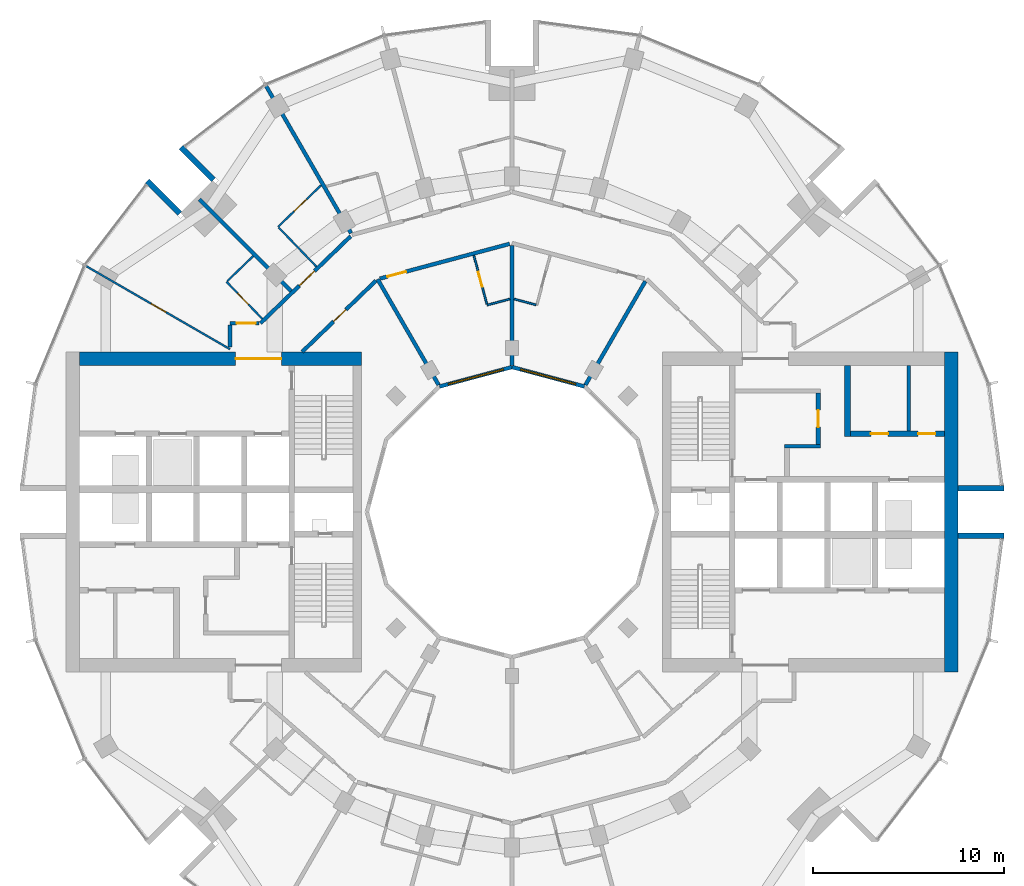
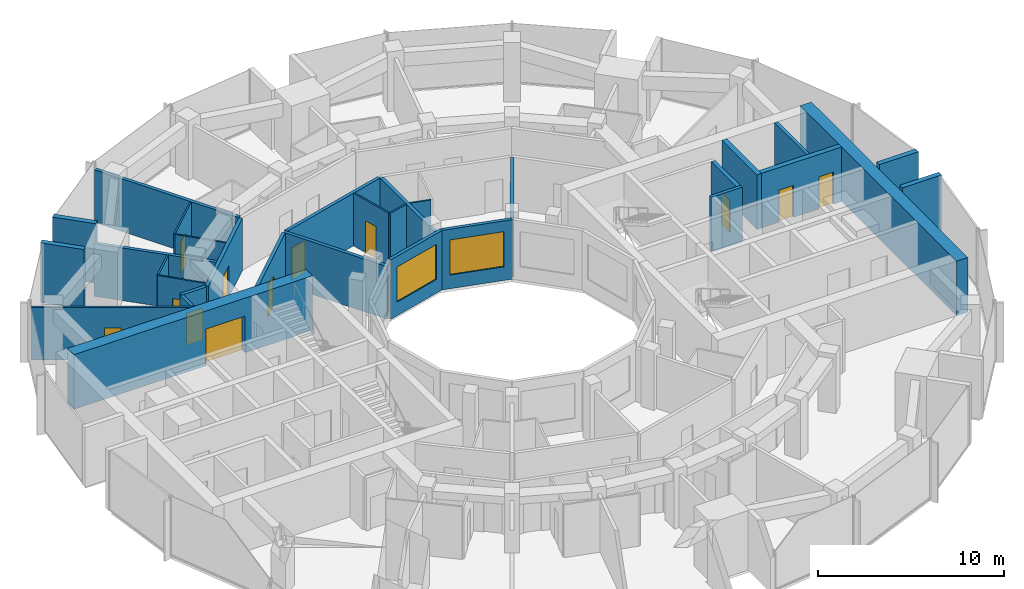
# One storey, part 11 of 15: 31 walls, 12 doors, 2 windows, 14 openings.
"""IFC4 building model written with IfcOpenShell, lengths in metres."""

import ifcopenshell
import ifcopenshell.guid

model = None  # the IFC model being written
_history = None  # IfcOwnerHistory: only IFC2X3 demands one
_inside = {}  # id of a spatial element -> (the spatial element, [elements in it])
_under = {}  # id of a project, library or spatial element -> (it, [spatial elements below it])
_declared = {}  # id of a project -> (the project, [libraries it declares])
_typed = {}  # id of a type object -> (the type object, [elements of that type])
_made_of = {}  # id of a material, layer set ... -> (it, [elements and type objects made of it])


def new_model(schema):
    """Start an empty IFC model of exactly this schema.

    Asked for "IFC4X3", IfcOpenShell would pick the latest addendum, in which some entities
    have other attributes; the version numbers below select the first issue.
    IFC2X3 requires an IfcOwnerHistory on every rooted entity: one is made here for all.
    """
    global model, _history
    if schema == "IFC4X3":
        model = ifcopenshell.file(schema_version=(4, 3, 0, 0))
    else:
        model = ifcopenshell.file(schema=schema)
    _inside.clear()
    _under.clear()
    _declared.clear()
    _typed.clear()
    _made_of.clear()
    _history = None
    if model.schema == "IFC2X3":
        org = make("IfcOrganization", Name="unknown")
        user = make(
            "IfcPersonAndOrganization",
            ThePerson=make("IfcPerson", FamilyName="unknown"),
            TheOrganization=org,
        )
        app = make(
            "IfcApplication",
            ApplicationDeveloper=org,
            Version="unknown",
            ApplicationFullName="unknown",
            ApplicationIdentifier="unknown",
        )
        _history = make(
            "IfcOwnerHistory",
            OwningUser=user,
            OwningApplication=app,
            ChangeAction="ADDED",
            CreationDate=0,
        )
    return model


def make(cls, **values):
    """One entity of the class cls with the attributes given. An attribute that is None is left unset."""
    return model.create_entity(
        cls, **{name: value for name, value in values.items() if value is not None}
    )


def rooted(cls, **values):
    """An entity with a GlobalId (a new one), such as an element, a storey or a relation."""
    return make(cls, GlobalId=ifcopenshell.guid.new(), OwnerHistory=_history, **values)


def si_unit(unit_type, name, prefix=None):
    """IfcSIUnit, for example si_unit("LENGTHUNIT", "METRE", prefix="MILLI")."""
    return make("IfcSIUnit", UnitType=unit_type, Prefix=prefix, Name=name)


def assignment(units):
    """IfcUnitAssignment: the units of a project."""
    return None if units is None else make("IfcUnitAssignment", Units=units)


def point(xyz):
    """IfcCartesianPoint."""
    return None if xyz is None else make("IfcCartesianPoint", Coordinates=xyz)


def direction(xyz):
    """IfcDirection."""
    return None if xyz is None else make("IfcDirection", DirectionRatios=xyz)


def frame(location, z_axis=None, x_axis=None):
    """IfcAxis2Placement3D, a coordinate frame: its origin and axes. An axis left out is left unset."""
    return make(
        "IfcAxis2Placement3D",
        Location=point(location),
        Axis=direction(z_axis),
        RefDirection=direction(x_axis),
    )


def frame_2d(location, x_axis=None):
    """IfcAxis2Placement2D, a coordinate frame in the plane: its origin and x axis."""
    return make(
        "IfcAxis2Placement2D", Location=point(location), RefDirection=direction(x_axis)
    )


def origin():
    """The frame at (0, 0, 0) with its axes left unset."""
    return frame((0.0, 0.0, 0.0))


def place(relative_to, where):
    """IfcLocalPlacement: puts the frame where relative to a parent placement (None: the world)."""
    return make(
        "IfcLocalPlacement", PlacementRelTo=relative_to, RelativePlacement=where
    )


def context(
    kind, dimensions, precision=None, world=None, true_north=None, identifier=None
):
    """IfcGeometricRepresentationContext, for example the 3D "Model" context."""
    return make(
        "IfcGeometricRepresentationContext",
        ContextIdentifier=identifier,
        ContextType=kind,
        CoordinateSpaceDimension=dimensions,
        Precision=precision,
        WorldCoordinateSystem=world,
        TrueNorth=true_north,
    )


def subcontext(parent, identifier, kind, view, scale=None):
    """IfcGeometricRepresentationSubContext, for example "Body" below "Model"."""
    return make(
        "IfcGeometricRepresentationSubContext",
        ContextIdentifier=identifier,
        ContextType=kind,
        ParentContext=parent,
        TargetScale=scale,
        TargetView=view,
    )


def project(units=None, contexts=None):
    """IfcProject with its units and contexts."""
    return rooted(
        "IfcProject",
        Name="project",
        RepresentationContexts=contexts,
        UnitsInContext=assignment(units),
    )


def spatial(cls, under=None, at=None, **own):
    """A site, building, storey or space (cls), placed at a placement, below another one or the project."""
    s = rooted(cls, ObjectPlacement=at, **own)
    if under is not None:
        _under.setdefault(under.id(), (under, []))[1].append(s)
    return s


def profile(cls, at=None, kind="AREA", **sizes):
    """A parametric profile (cls). Its sizes go by their IFC names, for example OverallWidth=200.0."""
    return make(cls, ProfileType=kind, Position=at, **sizes)


def rectangle(**sizes):
    """IfcRectangleProfileDef."""
    return profile("IfcRectangleProfileDef", **sizes)


def extrude(swept, where, along, depth):
    """IfcExtrudedAreaSolid: the profile swept, set in the frame where, extruded along a direction by depth."""
    return make(
        "IfcExtrudedAreaSolid",
        SweptArea=swept,
        Position=where,
        ExtrudedDirection=direction(along),
        Depth=depth,
    )


def shape(context_of_items, identifier, shape_type, items):
    """IfcShapeRepresentation: the items that make up one representation, for example the "Body"."""
    return make(
        "IfcShapeRepresentation",
        ContextOfItems=context_of_items,
        RepresentationIdentifier=identifier,
        RepresentationType=shape_type,
        Items=items,
    )


def material(Name=None, Category=None):
    """IfcMaterial."""
    return make("IfcMaterial", Name=Name, Category=Category)


def layer(
    of_material, thickness, ventilated=None, Name=None, Category=None, Priority=None
):
    """IfcMaterialLayer: one layer of a wall or slab, of a material (None: an air gap)."""
    return make(
        "IfcMaterialLayer",
        Material=of_material,
        LayerThickness=thickness,
        IsVentilated=ventilated,
        Name=Name,
        Category=Category,
        Priority=Priority,
    )


def layer_set(layers, Name=None):
    """IfcMaterialLayerSet."""
    return make("IfcMaterialLayerSet", MaterialLayers=layers, LayerSetName=Name)


def made_of(thing, what):
    """Note that an element or type object is made of a material, layer set ...; save() writes the relation."""
    if what is not None:
        _made_of.setdefault(what.id(), (what, []))[1].append(thing)
    return thing


def type_object(cls, material=None, **own):
    """A type object (cls), such as IfcWallType, which elements share."""
    return made_of(rooted(cls, **own), material)


def element(
    cls,
    number,
    at=None,
    inside=None,
    cuts=None,
    type_object=None,
    material=None,
    context=None,
    identifier="Body",
    shape_type=None,
    held_by="IfcProductDefinitionShape",
    body=None,
    shapes=None,
    **own,
):
    """One element of the class cls, such as IfcWall. Its Tag is "e" and its number.

    at: its placement. inside: the storey or other place that contains it. cuts: it is an
    opening in that element (IfcRelVoidsElement). A single representation is given by context,
    identifier, shape_type and body (its items); several are given by shapes. held_by: the class
    of the entity that holds the representations. save() writes the other relations.
    """
    e = rooted(cls, Tag="e%d" % number, ObjectPlacement=at, **own)
    if body is not None:
        shapes = [shape(context, identifier, shape_type, body)]
    if shapes is not None:
        e.Representation = make(held_by, Representations=shapes)
    if inside is not None:
        _inside.setdefault(inside.id(), (inside, []))[1].append(e)
    if cuts is not None:
        rooted(
            "IfcRelVoidsElement", RelatingBuildingElement=cuts, RelatedOpeningElement=e
        )
    if type_object is not None:
        _typed.setdefault(type_object.id(), (type_object, []))[1].append(e)
    return made_of(e, material)


def fill(opening, filler):
    """IfcRelFillsElement: the door or window that sits in an opening."""
    return rooted(
        "IfcRelFillsElement",
        RelatingOpeningElement=opening,
        RelatedBuildingElement=filler,
    )


def aggregate(whole, parts):
    """IfcRelAggregates: a whole, such as a stair, and the parts it consists of."""
    return rooted("IfcRelAggregates", RelatingObject=whole, RelatedObjects=parts)


def save(model, path):
    """Write the relations noted so far, then the file.

    IfcRelAggregates (storeys below a building ...), IfcRelContainedInSpatialStructure (elements
    in a storey), IfcRelDefinesByType, IfcRelAssociatesMaterial and IfcRelDeclares: one each for
    every whole, place, type object, material and project.
    """
    for whole, parts in _under.values():
        aggregate(whole, parts)
    for where, things in _inside.values():
        rooted(
            "IfcRelContainedInSpatialStructure",
            RelatedElements=things,
            RelatingStructure=where,
        )
    for kind, things in _typed.values():
        rooted("IfcRelDefinesByType", RelatedObjects=things, RelatingType=kind)
    for what, things in _made_of.values():
        rooted("IfcRelAssociatesMaterial", RelatedObjects=things, RelatingMaterial=what)
    for by, libraries in _declared.values():
        rooted("IfcRelDeclares", RelatingContext=by, RelatedDefinitions=libraries)
    model.write(path)


model = new_model("IFC4")

# Units and contexts
model_context = context("Model", 3, precision=1e-05, world=origin(), true_north=direction((0.0, 1.0)))
body_context = subcontext(model_context, "Body", "Model", "MODEL_VIEW")
ifc_project = project(units=[si_unit("LENGTHUNIT", "METRE"), si_unit("AREAUNIT", "SQUARE_METRE"), si_unit("VOLUMEUNIT", "CUBIC_METRE"), si_unit("PLANEANGLEUNIT", "RADIAN"), si_unit("MASSUNIT", "GRAM", prefix="KILO")], contexts=[model_context])

# Site, building, storey
site_placement = place(None, origin())
site = spatial("IfcSite", under=ifc_project, at=site_placement, CompositionType="ELEMENT")
building_placement = place(site_placement, origin())
building = spatial("IfcBuilding", under=site, at=building_placement, Name="Torre Brocal", CompositionType="ELEMENT")
storey_placement = place(building_placement, frame((0.0, 0.0, 141.89990234375)))
storey = spatial("IfcBuildingStorey", under=building, at=storey_placement, Name="L33", CompositionType="ELEMENT", Elevation=141.89990234375)

# Walls
ifc_material_1 = material(Name="Masonry block", Category="masonry")
ifc_layer_1 = layer(ifc_material_1, 0.199951171875)
ifc_layer_set_1 = layer_set([ifc_layer_1], Name="Masonry block")
wall_type_1 = type_object("IfcWallType", Name="CORE PARTITION 200", PredefinedType="PARTITIONING", material=ifc_layer_set_1)
wall_1_placement = place(storey_placement, frame((100.819091796875, 79.25, 0.0), z_axis=(0.0, 0.0, 1.0), x_axis=(0.0, 1.0, 0.0)))
element("IfcWall", 1, at=wall_1_placement, inside=storey, type_object=wall_type_1, Name="Wall CP200", PredefinedType="PARTITIONING", context=body_context, shape_type="SweptSolid", body=[
    extrude(rectangle(XDim=3.449951171875, YDim=0.199951171875, at=frame_2d((1.72509765625, 0.0))), origin(), (0.0, 0.0, 1.0), 3.580078125),
])
ifc_material_2 = material(Name="Concrete C70", Category="concrete")
ifc_layer_2 = layer(ifc_material_2, 0.199951171875)
ifc_layer_set_2 = layer_set([ifc_layer_2], Name="Concrete C70")
wall_type_2 = type_object("IfcWallType", Name="CORE WALL 200 C70", PredefinedType="SHEAR", material=ifc_layer_set_2)
wall_2_placement = place(storey_placement, frame((94.300048828125, 78.449951171875, 0.0), z_axis=(0.0, 0.0, 1.0), x_axis=(1.0, 0.0, 0.0)))
element("IfcWall", 2, at=wall_2_placement, inside=storey, type_object=wall_type_2, Name="Wall CW200-70", PredefinedType="SHEAR", context=body_context, shape_type="SweptSolid", body=[
    extrude(rectangle(XDim=1.89990234375, YDim=0.199951171875, at=frame_2d((0.949951171875, 0.0))), origin(), (0.0, 0.0, 1.0), 3.580078125),
])

# Wall, opening, door
ifc_material_3 = material(Name="Concrete C70", Category="concrete")
ifc_layer_3 = layer(ifc_material_3, 0.25)
ifc_layer_set_3 = layer_set([ifc_layer_3], Name="Concrete C70")
wall_type_3 = type_object("IfcWallType", Name="CORE WALL 250 C70", PredefinedType="SHEAR", material=ifc_layer_set_3)
wall_3_placement = place(storey_placement, frame((96.074951171875, 78.550048828125, 0.0), z_axis=(0.0, 0.0, 1.0), x_axis=(0.0, 1.0, 0.0)))
wall_3 = element("IfcWall", 3, at=wall_3_placement, inside=storey, type_object=wall_type_3, Name="Wall CW250-70", PredefinedType="SHEAR", context=body_context, shape_type="SweptSolid", body=[
    extrude(rectangle(XDim=2.699951171875, YDim=0.25, at=frame_2d((1.35009765625, 0.0))), origin(), (0.0, 0.0, 1.0), 3.580078125),
])
opening_1_placement = place(wall_3_placement, frame((0.89990234375, 0.0, 0.0)))
opening_1 = element("IfcOpeningElement", 4, at=opening_1_placement, cuts=wall_3, Name="Opening E-D15", PredefinedType="OPENING", context=body_context, shape_type="SweptSolid", body=[
    extrude(rectangle(XDim=0.89990234375, YDim=2.10009765625, at=frame_2d((0.449951171875, 1.050048828125))), frame((0.0, 0.135009765625, 0.0), z_axis=(0.0, -1.0, 0.0), x_axis=(1.0, 0.0, 0.0)), (0.0, 0.0, 1.0), 0.27001953125),
])
ifc_material_4 = material(Name="Steel A653", Category="steel")
door_type_1 = type_object("IfcDoorType", Name="LOBBY DOOR FD120 900X2100", OperationType="SINGLE_SWING_RIGHT", PredefinedType="DOOR", material=ifc_material_4)
door_1_placement = place(opening_1_placement, origin())
door_1 = element("IfcDoor", 5, at=door_1_placement, inside=storey, type_object=door_type_1, Name="Door E-D15", OperationType="SINGLE_SWING_LEFT", OverallHeight=2.10009765625, OverallWidth=0.89990234375, PredefinedType="DOOR", context=body_context, shape_type="SweptSolid", body=[
    extrude(rectangle(XDim=0.89990234375, YDim=2.10009765625, at=frame_2d((0.449951171875, 1.050048828125))), frame((0.0, 0.02490234375, 0.0), z_axis=(0.0, -1.0, 0.0), x_axis=(1.0, 0.0, 0.0)), (0.0, 0.0, 1.0), 0.050048828125),
])
fill(opening_1, door_1)

# Wall
ifc_material_5 = material(Name="Concrete C70", Category="concrete")
ifc_layer_4 = layer(ifc_material_5, 0.300048828125)
ifc_layer_set_4 = layer_set([ifc_layer_4], Name="Concrete C70")
wall_type_4 = type_object("IfcWallType", Name="CORE WALL 300 C70", PredefinedType="SHEAR", material=ifc_layer_set_4)
wall_4_placement = place(storey_placement, frame((97.60009765625, 78.949951171875, 0.0), z_axis=(0.0, 0.0, 1.0), x_axis=(0.0, 1.0, 0.0)))
element("IfcWall", 6, at=wall_4_placement, inside=storey, type_object=wall_type_4, Name="Wall CW300-70", PredefinedType="SHEAR", context=body_context, shape_type="SweptSolid", body=[
    extrude(rectangle(XDim=3.75, YDim=0.300048828125, at=frame_2d((1.875, 0.0))), origin(), (0.0, 0.0, 1.0), 3.580078125),
])

# Wall, openings, doors
wall_5_placement = place(storey_placement, frame((97.75, 79.10009765625, 0.0), z_axis=(0.0, 0.0, 1.0), x_axis=(1.0, 0.0, 0.0)))
wall_5 = element("IfcWall", 7, at=wall_5_placement, inside=storey, type_object=wall_type_4, Name="Wall CW300-70", PredefinedType="SHEAR", context=body_context, shape_type="SweptSolid", body=[
    extrude(rectangle(XDim=4.949951171875, YDim=0.300048828125, at=frame_2d((2.47509765625, 0.0))), origin(), (0.0, 0.0, 1.0), 3.580078125),
])
opening_2_placement = place(wall_5_placement, frame((1.08447265625, 0.0, 0.0)))
opening_2 = element("IfcOpeningElement", 8, at=opening_2_placement, cuts=wall_5, Name="Opening E-D05", PredefinedType="OPENING", context=body_context, shape_type="SweptSolid", body=[
    extrude(rectangle(XDim=0.89990234375, YDim=2.10009765625, at=frame_2d((0.449951171875, 1.050048828125))), frame((0.0, 0.159912109375, 0.0), z_axis=(0.0, -1.0, 0.0), x_axis=(1.0, 0.0, 0.0)), (0.0, 0.0, 1.0), 0.320068359375),
])
opening_3_placement = place(wall_5_placement, frame((3.5595703125, 0.0, 0.0)))
opening_3 = element("IfcOpeningElement", 9, at=opening_3_placement, cuts=wall_5, Name="Opening E-D06", PredefinedType="OPENING", context=body_context, shape_type="SweptSolid", body=[
    extrude(rectangle(XDim=0.89990234375, YDim=2.10009765625, at=frame_2d((0.449951171875, 1.050048828125))), frame((0.0, 0.159912109375, 0.0), z_axis=(0.0, -1.0, 0.0), x_axis=(1.0, 0.0, 0.0)), (0.0, 0.0, 1.0), 0.320068359375),
])
ifc_material_6 = material(Name="Steel A653", Category="steel")
door_type_2 = type_object("IfcDoorType", Name="ROOM DOOR FD30S 900X2100", OperationType="SINGLE_SWING_LEFT", PredefinedType="DOOR", material=ifc_material_6)
door_2_placement = place(opening_2_placement, origin())
door_2 = element("IfcDoor", 10, at=door_2_placement, inside=storey, type_object=door_type_2, Name="Door E-D05", OperationType="SINGLE_SWING_RIGHT", OverallHeight=2.10009765625, OverallWidth=0.89990234375, PredefinedType="DOOR", context=body_context, shape_type="SweptSolid", body=[
    extrude(rectangle(XDim=0.89990234375, YDim=2.10009765625, at=frame_2d((0.449951171875, 1.050048828125))), frame((0.0, 0.02490234375, 0.0), z_axis=(0.0, -1.0, 0.0), x_axis=(1.0, 0.0, 0.0)), (0.0, 0.0, 1.0), 0.050048828125),
])
fill(opening_2, door_2)
door_3_placement = place(opening_3_placement, origin())
door_3 = element("IfcDoor", 11, at=door_3_placement, inside=storey, type_object=door_type_2, Name="Door E-D06", OperationType="SINGLE_SWING_LEFT", OverallHeight=2.10009765625, OverallWidth=0.89990234375, PredefinedType="DOOR", context=body_context, shape_type="SweptSolid", body=[
    extrude(rectangle(XDim=0.89990234375, YDim=2.10009765625, at=frame_2d((0.449951171875, 1.050048828125))), frame((0.0, 0.02490234375, 0.0), z_axis=(0.0, -1.0, 0.0), x_axis=(1.0, 0.0, 0.0)), (0.0, 0.0, 1.0), 0.050048828125),
])
fill(opening_3, door_3)

# Wall
ifc_material_7 = material(Name="Concrete C70", Category="concrete")
ifc_layer_5 = layer(ifc_material_7, 0.699951171875)
ifc_layer_set_5 = layer_set([ifc_layer_5], Name="Concrete C70")
wall_type_5 = type_object("IfcWallType", Name="CORE WALL 700 C70", PredefinedType="SHEAR", material=ifc_layer_set_5)
wall_6_placement = place(storey_placement, frame((103.050048828125, 66.60009765625, 0.0), z_axis=(0.0, 0.0, 1.0), x_axis=(0.0, 1.0, 0.0)))
element("IfcWall", 12, at=wall_6_placement, inside=storey, type_object=wall_type_5, Name="Wall CW700-70", PredefinedType="SHEAR", context=body_context, shape_type="SweptSolid", body=[
    extrude(rectangle(XDim=16.7998046875, YDim=0.699951171875, at=frame_2d((8.39990234375, 0.0))), origin(), (0.0, 0.0, 1.0), 3.580078125),
])

# Wall, opening, door
wall_7_placement = place(storey_placement, frame((72.10009765625, 83.050048828125, 0.0), z_axis=(0.0, 0.0, 1.0), x_axis=(-1.0, 0.0, 0.0)))
wall_7 = element("IfcWall", 13, at=wall_7_placement, inside=storey, type_object=wall_type_5, Name="Wall CW700-70", PredefinedType="SHEAR", context=body_context, shape_type="SweptSolid", body=[
    extrude(rectangle(XDim=14.800048828125, YDim=0.699951171875, at=frame_2d((7.39990234375, 0.0))), origin(), (0.0, 0.0, 1.0), 3.580078125),
])
opening_4_placement = place(wall_7_placement, frame((4.199951171875, 0.0, 0.0)))
opening_4 = element("IfcOpeningElement", 14, at=opening_4_placement, cuts=wall_7, Name="Opening W-D27", PredefinedType="OPENING", context=body_context, shape_type="SweptSolid", body=[
    extrude(rectangle(XDim=2.39990234375, YDim=2.39990234375, at=frame_2d((1.199951171875, 1.199951171875))), frame((0.0, 0.35986328125, 0.0), z_axis=(0.0, -1.0, 0.0), x_axis=(1.0, 0.0, 0.0)), (0.0, 0.0, 1.0), 0.719970703125),
])
ifc_material_8 = material(Name="Steel A653", Category="steel")
door_type_3 = type_object("IfcDoorType", Name="DOUBLE FIRE DOOR FD90 2400X2400", OperationType="DOUBLE_DOOR_SINGLE_SWING", PredefinedType="DOOR", material=ifc_material_8)
door_4_placement = place(opening_4_placement, origin())
door_4 = element("IfcDoor", 15, at=door_4_placement, inside=storey, type_object=door_type_3, Name="Door W-D27", OperationType="DOUBLE_DOOR_SINGLE_SWING", OverallHeight=2.39990234375, OverallWidth=2.39990234375, PredefinedType="DOOR", context=body_context, shape_type="SweptSolid", body=[
    extrude(rectangle(XDim=2.39990234375, YDim=2.39990234375, at=frame_2d((1.199951171875, 1.199951171875))), frame((0.0, 0.02490234375, 0.0), z_axis=(0.0, -1.0, 0.0), x_axis=(1.0, 0.0, 0.0)), (0.0, 0.0, 1.0), 0.050048828125),
])
fill(opening_4, door_4)

# Walls
ifc_material_9 = material(Name="Concrete C70", Category="concrete")
ifc_layer_6 = layer(ifc_material_9, 0.300048828125)
ifc_layer_set_6 = layer_set([ifc_layer_6], Name="Concrete C70")
wall_type_6 = type_object("IfcWallType", Name="NOTCH RETURN WALL 300 C70", PredefinedType="NOTDEFINED", material=ifc_layer_set_6)
for number, where, z_axis, x_axis, name in (
    (16, (103.39990234375, 73.75, 0.0), (0.0, 0.0, 1.0), (1.0, 0.0, 0.0), "NOTCH RETURN WALL"),
    (17, (103.39990234375, 76.25, 0.0), (0.0, 0.0, 1.0), (1.0, 0.0, 0.0), "NOTCH RETURN WALL"),
    (18, (64.337646484375, 92.43017578125, 0.0), (0.0, 0.0, 1.0), (-0.707106781187, 0.707106781187, 0.0), "NOTCH RETURN WALL"),
    (19, (62.56982421875, 90.662353515625, 0.0), (0.0, 0.0, 1.0), (-0.707106781187, 0.707106781187, 0.0), "NOTCH RETURN WALL"),
):
    element("IfcWall", number, at=place(storey_placement, frame(where, z_axis=z_axis, x_axis=x_axis)), inside=storey, type_object=wall_type_6, Name=name, PredefinedType="NOTDEFINED", context=body_context, shape_type="SweptSolid", body=[
        extrude(rectangle(XDim=2.415771484375, YDim=0.300048828125, at=frame_2d((1.2080078125, 0.0))), origin(), (0.0, 0.0, 1.0), 3.900146484375),
    ])

# Wall, opening, door
ifc_material_10 = material(Name="Gypsum board", Category="Gypsum")
ifc_layer_7 = layer(ifc_material_10, 0.10009765625)
ifc_layer_set_7 = layer_set([ifc_layer_7], Name="Gypsum board")
wall_type_7 = type_object("IfcWallType", Name="PARTITION 100", PredefinedType="PARTITIONING", material=ifc_layer_set_7)
wall_8_placement = place(storey_placement, frame((57.65869140625, 87.89892578125, 0.0), z_axis=(0.0, 0.0, 1.0), x_axis=(0.86602264145, -0.500004784474, 0.0)))
wall_8 = element("IfcWall", 20, at=wall_8_placement, inside=storey, type_object=wall_type_7, Name="ROOM PARTITION", PredefinedType="PARTITIONING", context=body_context, shape_type="SweptSolid", body=[
    extrude(rectangle(XDim=8.7080078125, YDim=0.10009765625, at=frame_2d((4.35400390625, 0.0))), origin(), (0.0, 0.0, 1.0), 3.4501953125),
])
opening_5_placement = place(wall_8_placement, frame((3.928955078125, 0.0, 0.0)))
opening_5 = element("IfcOpeningElement", 21, at=opening_5_placement, cuts=wall_8, Name="Opening E03-D16", PredefinedType="OPENING", context=body_context, shape_type="SweptSolid", body=[
    extrude(rectangle(XDim=0.89990234375, YDim=2.10009765625, at=frame_2d((0.449951171875, 1.050048828125))), frame((0.0, 0.06005859375, 0.0), z_axis=(0.0, -1.0, 0.0), x_axis=(1.0, 0.0, 0.0)), (0.0, 0.0, 1.0), 0.1201171875),
])
ifc_material_11 = material(Name="Timber", Category="wood")
door_type_4 = type_object("IfcDoorType", Name="ROOM DOOR 900X2100", OperationType="SINGLE_SWING_LEFT", PredefinedType="DOOR", material=ifc_material_11)
door_5_placement = place(opening_5_placement, frame((0.89990234375, 0.0, 0.0), z_axis=(0.0, 0.0, 1.0), x_axis=(-1.0, 0.0, 0.0)))
door_5 = element("IfcDoor", 22, at=door_5_placement, inside=storey, type_object=door_type_4, Name="E03-D16", OperationType="SINGLE_SWING_LEFT", OverallHeight=2.10009765625, OverallWidth=0.89990234375, PredefinedType="DOOR", context=body_context, shape_type="SweptSolid", body=[
    extrude(rectangle(XDim=0.89990234375, YDim=2.10009765625, at=frame_2d((0.449951171875, 1.050048828125))), frame((0.0, 0.02490234375, 0.0), z_axis=(0.0, -1.0, 0.0), x_axis=(1.0, 0.0, 0.0)), (0.0, 0.0, 1.0), 0.050048828125),
])
fill(opening_5, door_5)

# Wall
wall_9_placement = place(storey_placement, frame((65.05908203125, 87.11376953125, 0.0), z_axis=(0.0, 0.0, 1.0), x_axis=(0.719653890619, 0.694332973232, 0.0)))
element("IfcWall", 23, at=wall_9_placement, inside=storey, type_object=wall_type_7, Name="BATHROOM WALL", PredefinedType="PARTITIONING", context=body_context, shape_type="SweptSolid", body=[
    extrude(rectangle(XDim=1.8994140625, YDim=0.10009765625, at=frame_2d((0.94970703125, 0.0))), origin(), (0.0, 0.0, 1.0), 3.4501953125),
])

# Wall, opening, door
wall_10_placement = place(storey_placement, frame((65.02294921875, 87.0791015625, 0.0), z_axis=(0.0, 0.0, 1.0), x_axis=(0.694287838235, -0.719697434815, 0.0)))
wall_10 = element("IfcWall", 24, at=wall_10_placement, inside=storey, type_object=wall_type_7, Name="BATHROOM WALL", PredefinedType="PARTITIONING", context=body_context, shape_type="SweptSolid", body=[
    extrude(rectangle(XDim=2.699951171875, YDim=0.10009765625, at=frame_2d((1.35009765625, 0.0))), origin(), (0.0, 0.0, 1.0), 3.4501953125),
])
opening_6_placement = place(wall_10_placement, frame((0.849853515625, 0.0, 0.0)))
opening_6 = element("IfcOpeningElement", 25, at=opening_6_placement, cuts=wall_10, Name="Opening E03-D15", PredefinedType="OPENING", context=body_context, shape_type="SweptSolid", body=[
    extrude(rectangle(XDim=0.800048828125, YDim=2.10009765625, at=frame_2d((0.39990234375, 1.050048828125))), frame((0.0, 0.06005859375, 0.0), z_axis=(0.0, -1.0, 0.0), x_axis=(1.0, 0.0, 0.0)), (0.0, 0.0, 1.0), 0.1201171875),
])
ifc_material_12 = material(Name="Timber", Category="wood")
door_type_5 = type_object("IfcDoorType", Name="BATHROOM DOOR 800X2100", OperationType="SINGLE_SWING_LEFT", PredefinedType="DOOR", material=ifc_material_12)
door_6_placement = place(opening_6_placement, origin())
door_6 = element("IfcDoor", 26, at=door_6_placement, inside=storey, type_object=door_type_5, Name="E03-D15", OperationType="SINGLE_SWING_LEFT", OverallHeight=2.10009765625, OverallWidth=0.800048828125, PredefinedType="DOOR", context=body_context, shape_type="SweptSolid", body=[
    extrude(rectangle(XDim=0.800048828125, YDim=2.10009765625, at=frame_2d((0.39990234375, 1.050048828125))), frame((0.0, 0.02490234375, 0.0), z_axis=(0.0, -1.0, 0.0), x_axis=(1.0, 0.0, 0.0)), (0.0, 0.0, 1.0), 0.050048828125),
])
fill(opening_6, door_6)

# Wall
wall_11_placement = place(storey_placement, frame((67.7578125, 89.926025390625, 0.0), z_axis=(0.0, 0.0, 1.0), x_axis=(0.694485934895, -0.719506279495, 0.0)))
element("IfcWall", 27, at=wall_11_placement, inside=storey, type_object=wall_type_7, Name="BATHROOM WALL", PredefinedType="PARTITIONING", context=body_context, shape_type="SweptSolid", body=[
    extrude(rectangle(XDim=2.849365234375, YDim=0.10009765625, at=frame_2d((1.4248046875, 0.0))), origin(), (0.0, 0.0, 1.0), 3.4501953125),
])

# Wall, opening, door
wall_12_placement = place(storey_placement, frame((67.722900390625, 89.9619140625, 0.0), z_axis=(0.0, 0.0, 1.0), x_axis=(0.719487277563, 0.694505620873, 0.0)))
wall_12 = element("IfcWall", 28, at=wall_12_placement, inside=storey, type_object=wall_type_7, Name="BATHROOM WALL", PredefinedType="PARTITIONING", context=body_context, shape_type="SweptSolid", body=[
    extrude(rectangle(XDim=3.136962890625, YDim=0.10009765625, at=frame_2d((1.568359375, 0.0))), origin(), (0.0, 0.0, 1.0), 3.4501953125),
])
opening_7_placement = place(wall_12_placement, frame((1.17333984375, 0.0, 0.0)))
opening_7 = element("IfcOpeningElement", 29, at=opening_7_placement, cuts=wall_12, Name="Opening E03-D13", PredefinedType="OPENING", context=body_context, shape_type="SweptSolid", body=[
    extrude(rectangle(XDim=0.89990234375, YDim=2.10009765625, at=frame_2d((0.449951171875, 1.050048828125))), frame((0.0, 0.06005859375, 0.0), z_axis=(0.0, -1.0, 0.0), x_axis=(1.0, 0.0, 0.0)), (0.0, 0.0, 1.0), 0.1201171875),
])
ifc_material_13 = material(Name="Timber", Category="wood")
door_type_6 = type_object("IfcDoorType", Name="ACCESSIBLE BATHROOM DOOR 900X2100", OperationType="SINGLE_SWING_LEFT", PredefinedType="DOOR", material=ifc_material_13)
door_7_placement = place(opening_7_placement, frame((0.89990234375, 0.0, 0.0), z_axis=(0.0, 0.0, 1.0), x_axis=(-1.0, 0.0, 0.0)))
door_7 = element("IfcDoor", 30, at=door_7_placement, inside=storey, type_object=door_type_6, Name="E03-D13", OperationType="SINGLE_SWING_LEFT", OverallHeight=2.10009765625, OverallWidth=0.89990234375, PredefinedType="DOOR", context=body_context, shape_type="SweptSolid", body=[
    extrude(rectangle(XDim=0.89990234375, YDim=2.10009765625, at=frame_2d((0.449951171875, 1.050048828125))), frame((0.0, 0.02490234375, 0.0), z_axis=(0.0, -1.0, 0.0), x_axis=(1.0, 0.0, 0.0)), (0.0, 0.0, 1.0), 0.050048828125),
])
fill(opening_7, door_7)

wall_13_placement = place(storey_placement, frame((77.997802734375, 88.46337890625, 0.0), z_axis=(0.0, 0.0, 1.0), x_axis=(0.258677737588, -0.965963678446, 0.0)))
wall_13 = element("IfcWall", 31, at=wall_13_placement, inside=storey, type_object=wall_type_7, Name="BATHROOM WALL", PredefinedType="PARTITIONING", context=body_context, shape_type="SweptSolid", body=[
    extrude(rectangle(XDim=2.649169921875, YDim=0.10009765625, at=frame_2d((1.32470703125, 0.0))), origin(), (0.0, 0.0, 1.0), 3.4501953125),
])
opening_8_placement = place(wall_13_placement, frame((0.899658203125, 0.0, 0.0)))
opening_8 = element("IfcOpeningElement", 32, at=opening_8_placement, cuts=wall_13, Name="Opening E03-D21", PredefinedType="OPENING", context=body_context, shape_type="SweptSolid", body=[
    extrude(rectangle(XDim=0.800048828125, YDim=2.10009765625, at=frame_2d((0.39990234375, 1.050048828125))), frame((0.0, 0.06005859375, 0.0), z_axis=(0.0, -1.0, 0.0), x_axis=(1.0, 0.0, 0.0)), (0.0, 0.0, 1.0), 0.1201171875),
])
door_8_placement = place(opening_8_placement, origin())
door_8 = element("IfcDoor", 33, at=door_8_placement, inside=storey, type_object=door_type_5, Name="E03-D21", OperationType="SINGLE_SWING_LEFT", OverallHeight=2.10009765625, OverallWidth=0.800048828125, PredefinedType="DOOR", context=body_context, shape_type="SweptSolid", body=[
    extrude(rectangle(XDim=0.800048828125, YDim=2.10009765625, at=frame_2d((0.39990234375, 1.050048828125))), frame((0.0, 0.02490234375, 0.0), z_axis=(0.0, -1.0, 0.0), x_axis=(1.0, 0.0, 0.0)), (0.0, 0.0, 1.0), 0.050048828125),
])
fill(opening_8, door_8)

# Walls
wall_14_placement = place(storey_placement, frame((78.696044921875, 85.85595703125, 0.0), z_axis=(0.0, 0.0, 1.0), x_axis=(0.966002513606, 0.258532674351, 0.0)))
element("IfcWall", 34, at=wall_14_placement, inside=storey, type_object=wall_type_7, Name="BATHROOM WALL", PredefinedType="PARTITIONING", context=body_context, shape_type="SweptSolid", body=[
    extrude(rectangle(XDim=1.239990234375, YDim=0.10009765625, at=frame_2d((0.6201171875, 0.0))), origin(), (0.0, 0.0, 1.0), 3.4501953125),
])
wall_15_placement = place(storey_placement, frame((80.106201171875, 86.176513671875, 0.0), z_axis=(0.0, 0.0, 1.0), x_axis=(0.966002973184, -0.258530957139, 0.0)))
element("IfcWall", 35, at=wall_15_placement, inside=storey, type_object=wall_type_7, Name="BATHROOM WALL", PredefinedType="PARTITIONING", context=body_context, shape_type="SweptSolid", body=[
    extrude(rectangle(XDim=1.18994140625, YDim=0.10009765625, at=frame_2d((0.594970703125, 0.0))), origin(), (0.0, 0.0, 1.0), 3.4501953125),
])
ifc_material_14 = material(Name="Gypsum board", Category="Gypsum")
ifc_layer_8 = layer(ifc_material_14, 0.199951171875)
ifc_layer_set_8 = layer_set([ifc_layer_8], Name="Gypsum board")
wall_type_8 = type_object("IfcWallType", Name="PARTITION 200 EI60", PredefinedType="PARTITIONING", material=ifc_layer_set_8)
wall_16_placement = place(storey_placement, frame((63.595703125, 91.405517578125, 0.0), z_axis=(0.0, 0.0, 1.0), x_axis=(0.706963264491, -0.707250268759, 0.0)))
element("IfcWall", 36, at=wall_16_placement, inside=storey, type_object=wall_type_8, Name="BATHROOM WALL", PredefinedType="PARTITIONING", context=body_context, shape_type="SweptSolid", body=[
    extrude(rectangle(XDim=6.80517578125, YDim=0.199951171875, at=frame_2d((3.402587890625, 0.0))), origin(), (0.0, 0.0, 1.0), 3.4501953125),
])
wall_17_placement = place(storey_placement, frame((65.199951171875, 83.64990234375, 0.0), z_axis=(0.0, 0.0, 1.0), x_axis=(0.0, 1.0, 0.0)))
element("IfcWall", 37, at=wall_17_placement, inside=storey, type_object=wall_type_8, Name="GUESTROOM CORRIDOR WALL", PredefinedType="PARTITIONING", context=body_context, shape_type="SweptSolid", body=[
    extrude(rectangle(XDim=1.150146484375, YDim=0.199951171875, at=frame_2d((0.5751953125, 0.0))), origin(), (0.0, 0.0, 1.0), 3.4501953125),
])

# Wall, opening, door
wall_18_placement = place(storey_placement, frame((65.199951171875, 84.89990234375, 0.0), z_axis=(0.0, 0.0, 1.0), x_axis=(1.0, 0.0, 0.0)))
wall_18 = element("IfcWall", 38, at=wall_18_placement, inside=storey, type_object=wall_type_8, Name="GUESTROOM CORRIDOR WALL", PredefinedType="PARTITIONING", context=body_context, shape_type="SweptSolid", body=[
    extrude(rectangle(XDim=1.537109375, YDim=0.199951171875, at=frame_2d((0.7685546875, 0.0))), origin(), (0.0, 0.0, 1.0), 3.4501953125),
])
opening_9_placement = place(wall_18_placement, frame((0.346923828125, 0.0, 0.0)))
opening_9 = element("IfcOpeningElement", 39, at=opening_9_placement, cuts=wall_18, Name="Opening E03-D14", PredefinedType="OPENING", context=body_context, shape_type="SweptSolid", body=[
    extrude(rectangle(XDim=1.0, YDim=2.10009765625, at=frame_2d((0.5, 1.050048828125))), frame((0.0, 0.10986328125, 0.0), z_axis=(0.0, -1.0, 0.0), x_axis=(1.0, 0.0, 0.0)), (0.0, 0.0, 1.0), 0.219970703125),
])
ifc_material_15 = material(Name="Timber", Category="wood")
door_type_7 = type_object("IfcDoorType", Name="FLAT ENTRY DOOR FD30S 1000X2100", OperationType="SINGLE_SWING_RIGHT", PredefinedType="DOOR", material=ifc_material_15)
door_9_placement = place(opening_9_placement, origin())
door_9 = element("IfcDoor", 40, at=door_9_placement, inside=storey, type_object=door_type_7, Name="E03-D14", OperationType="SINGLE_SWING_LEFT", OverallHeight=2.10009765625, OverallWidth=1.0, PredefinedType="DOOR", context=body_context, shape_type="SweptSolid", body=[
    extrude(rectangle(XDim=1.0, YDim=2.10009765625, at=frame_2d((0.5, 1.050048828125))), frame((0.0, 0.02490234375, 0.0), z_axis=(0.0, -1.0, 0.0), x_axis=(1.0, 0.0, 0.0)), (0.0, 0.0, 1.0), 0.050048828125),
])
fill(opening_9, door_9)

wall_19_placement = place(storey_placement, frame((66.796630859375, 84.900390625, 0.0), z_axis=(0.0, 0.0, 1.0), x_axis=(0.719692092412, 0.694293376116, 0.0)))
wall_19 = element("IfcWall", 41, at=wall_19_placement, inside=storey, type_object=wall_type_8, Name="GUESTROOM CORRIDOR WALL", PredefinedType="PARTITIONING", context=body_context, shape_type="SweptSolid", body=[
    extrude(rectangle(XDim=6.58447265625, YDim=0.199951171875, at=frame_2d((3.292236328125, 0.0))), origin(), (0.0, 0.0, 1.0), 3.4501953125),
])
opening_10_placement = place(wall_19_placement, frame((2.8515625, 0.0, 0.0)))
opening_10 = element("IfcOpeningElement", 42, at=opening_10_placement, cuts=wall_19, Name="Opening E03-D12", PredefinedType="OPENING", context=body_context, shape_type="SweptSolid", body=[
    extrude(rectangle(XDim=1.10009765625, YDim=2.10009765625, at=frame_2d((0.550048828125, 1.050048828125))), frame((0.0, 0.10986328125, 0.0), z_axis=(0.0, -1.0, 0.0), x_axis=(1.0, 0.0, 0.0)), (0.0, 0.0, 1.0), 0.219970703125),
])
ifc_material_16 = material(Name="Timber", Category="wood")
door_type_8 = type_object("IfcDoorType", Name="ACCESSIBLE ENTRY DOOR FD30S 1100X2100", OperationType="SINGLE_SWING_RIGHT", PredefinedType="DOOR", material=ifc_material_16)
door_10_placement = place(opening_10_placement, origin())
door_10 = element("IfcDoor", 43, at=door_10_placement, inside=storey, type_object=door_type_8, Name="E03-D12", OperationType="SINGLE_SWING_RIGHT", OverallHeight=2.10009765625, OverallWidth=1.10009765625, PredefinedType="DOOR", context=body_context, shape_type="SweptSolid", body=[
    extrude(rectangle(XDim=1.10009765625, YDim=2.10009765625, at=frame_2d((0.550048828125, 1.050048828125))), frame((0.0, 0.02490234375, 0.0), z_axis=(0.0, -1.0, 0.0), x_axis=(1.0, 0.0, 0.0)), (0.0, 0.0, 1.0), 0.050048828125),
])
fill(opening_10, door_10)

# Wall
wall_20_placement = place(storey_placement, frame((67.1025390625, 97.34228515625, 0.0), z_axis=(0.0, 0.0, 1.0), x_axis=(0.499900389553, -0.866082906265, 0.0)))
element("IfcWall", 44, at=wall_20_placement, inside=storey, type_object=wall_type_8, Name="BATHROOM WALL", PredefinedType="PARTITIONING", context=body_context, shape_type="SweptSolid", body=[
    extrude(rectangle(XDim=8.907958984375, YDim=0.199951171875, at=frame_2d((4.4541015625, 0.0))), origin(), (0.0, 0.0, 1.0), 3.4501953125),
])

# Wall, opening, door
wall_21_placement = place(storey_placement, frame((68.987060546875, 83.39990234375, 0.0), z_axis=(0.0, 0.0, 1.0), x_axis=(0.719547721855, 0.694442996922, 0.0)))
wall_21 = element("IfcWall", 45, at=wall_21_placement, inside=storey, type_object=wall_type_8, Name="CORRIDOR WALL", PredefinedType="PARTITIONING", context=body_context, shape_type="SweptSolid", body=[
    extrude(rectangle(XDim=5.3779296875, YDim=0.199951171875, at=frame_2d((2.68896484375, 0.0))), origin(), (0.0, 0.0, 1.0), 3.4501953125),
])
opening_11_placement = place(wall_21_placement, frame((2.2939453125, 0.0, 0.0)))
opening_11 = element("IfcOpeningElement", 46, at=opening_11_placement, cuts=wall_21, Name="Opening E03-D22", PredefinedType="OPENING", context=body_context, shape_type="SweptSolid", body=[
    extrude(rectangle(XDim=0.89990234375, YDim=2.10009765625, at=frame_2d((0.449951171875, 1.050048828125))), frame((0.0, 0.10986328125, 0.0), z_axis=(0.0, -1.0, 0.0), x_axis=(1.0, 0.0, 0.0)), (0.0, 0.0, 1.0), 0.219970703125),
])
door_11_placement = place(opening_11_placement, frame((0.89990234375, 0.0, 0.0), z_axis=(0.0, 0.0, 1.0), x_axis=(-1.0, 0.0, 0.0)))
door_11 = element("IfcDoor", 47, at=door_11_placement, inside=storey, type_object=door_type_4, Name="E03-D22", OperationType="SINGLE_SWING_RIGHT", OverallHeight=2.10009765625, OverallWidth=0.89990234375, PredefinedType="DOOR", context=body_context, shape_type="SweptSolid", body=[
    extrude(rectangle(XDim=0.89990234375, YDim=2.10009765625, at=frame_2d((0.449951171875, 1.050048828125))), frame((0.0, 0.02490234375, 0.0), z_axis=(0.0, -1.0, 0.0), x_axis=(1.0, 0.0, 0.0)), (0.0, 0.0, 1.0), 0.050048828125),
])
fill(opening_11, door_11)

wall_22_placement = place(storey_placement, frame((73.0712890625, 87.2470703125, 0.0), z_axis=(0.0, 0.0, 1.0), x_axis=(0.965931651205, 0.258797305243, 0.0)))
wall_22 = element("IfcWall", 48, at=wall_22_placement, inside=storey, type_object=wall_type_8, Name="GUESTROOM CORRIDOR WALL", PredefinedType="PARTITIONING", context=body_context, shape_type="SweptSolid", body=[
    extrude(rectangle(XDim=7.043212890625, YDim=0.199951171875, at=frame_2d((3.521484375, 0.0))), origin(), (0.0, 0.0, 1.0), 3.4501953125),
])
opening_12_placement = place(wall_22_placement, frame((0.409912109375, 0.0, 0.0)))
opening_12 = element("IfcOpeningElement", 49, at=opening_12_placement, cuts=wall_22, Name="Opening E03-D20", PredefinedType="OPENING", context=body_context, shape_type="SweptSolid", body=[
    extrude(rectangle(XDim=1.0, YDim=2.10009765625, at=frame_2d((0.5, 1.050048828125))), frame((0.0, 0.10986328125, 0.0), z_axis=(0.0, -1.0, 0.0), x_axis=(1.0, 0.0, 0.0)), (0.0, 0.0, 1.0), 0.219970703125),
])
door_12_placement = place(opening_12_placement, frame((1.0, 0.0, 0.0), z_axis=(0.0, 0.0, 1.0), x_axis=(-1.0, 0.0, 0.0)))
door_12 = element("IfcDoor", 50, at=door_12_placement, inside=storey, type_object=door_type_7, Name="E03-D20", OperationType="SINGLE_SWING_RIGHT", OverallHeight=2.10009765625, OverallWidth=1.0, PredefinedType="DOOR", context=body_context, shape_type="SweptSolid", body=[
    extrude(rectangle(XDim=1.0, YDim=2.10009765625, at=frame_2d((0.5, 1.050048828125))), frame((0.0, 0.02490234375, 0.0), z_axis=(0.0, -1.0, 0.0), x_axis=(1.0, 0.0, 0.0)), (0.0, 0.0, 1.0), 0.050048828125),
])
fill(opening_12, door_12)

# Walls
wall_23_placement = place(storey_placement, frame((72.948486328125, 87.214111328125, 0.0), z_axis=(0.0, 0.0, 1.0), x_axis=(0.499898430755, -0.866084036875, 0.0)))
element("IfcWall", 51, at=wall_23_placement, inside=storey, type_object=wall_type_8, Name="SERVICE ROOM WALL", PredefinedType="PARTITIONING", context=body_context, shape_type="SweptSolid", body=[
    extrude(rectangle(XDim=6.405029296875, YDim=0.199951171875, at=frame_2d((3.20263671875, 0.0))), origin(), (0.0, 0.0, 1.0), 3.4501953125),
])
wall_24_placement = place(storey_placement, frame((80.0, 82.698974609375, 0.0), z_axis=(0.0, 0.0, 1.0), x_axis=(0.0, 1.0, 0.0)))
element("IfcWall", 52, at=wall_24_placement, inside=storey, type_object=wall_type_8, Name="BATHROOM WALL", PredefinedType="PARTITIONING", context=body_context, shape_type="SweptSolid", body=[
    extrude(rectangle(XDim=6.275146484375, YDim=0.199951171875, at=frame_2d((3.1376953125, 0.0))), origin(), (0.0, 0.0, 1.0), 3.4501953125),
])
wall_25_placement = place(storey_placement, frame((83.853515625, 81.66455078125, 0.0), z_axis=(0.0, 0.0, 1.0), x_axis=(0.500241355856, 0.865886012066, 0.0)))
element("IfcWall", 53, at=wall_25_placement, inside=storey, type_object=wall_type_8, Name="SERVICE ROOM WALL", PredefinedType="PARTITIONING", context=body_context, shape_type="SweptSolid", body=[
    extrude(rectangle(XDim=6.28515625, YDim=0.199951171875, at=frame_2d((3.142578125, 0.0))), origin(), (0.0, 0.0, 1.0), 3.4501953125),
])

# Wall, opening, window
ifc_material_17 = material(Name="Concrete C40", Category="concrete")
ifc_layer_9 = layer(ifc_material_17, 0.199951171875)
ifc_layer_set_9 = layer_set([ifc_layer_9], Name="Concrete C40")
wall_type_9 = type_object("IfcWallType", Name="WELL FACADE WALL 200", PredefinedType="NOTDEFINED", material=ifc_layer_set_9)
wall_26_placement = place(storey_placement, frame((83.8017578125, 81.5849609375, 0.0), z_axis=(0.0, 0.0, 1.0), x_axis=(-0.965933654434, 0.258789828301, 0.0)))
wall_26 = element("IfcWall", 54, at=wall_26_placement, inside=storey, type_object=wall_type_9, Name="WELL FACADE WALL", PredefinedType="NOTDEFINED", context=body_context, shape_type="SweptSolid", body=[
    extrude(rectangle(XDim=3.935791015625, YDim=0.199951171875, at=frame_2d((1.9677734375, 0.0))), origin(), (0.0, 0.0, 1.0), 3.900146484375),
])
opening_13_placement = place(wall_26_placement, frame((0.468017578125, 0.0, 0.89990234375)))
opening_13 = element("IfcOpeningElement", 55, at=opening_13_placement, cuts=wall_26, Name="Opening W1", PredefinedType="OPENING", context=body_context, shape_type="SweptSolid", body=[
    extrude(rectangle(XDim=3.0, YDim=2.300048828125, at=frame_2d((1.5, 1.14990234375))), frame((0.0, 0.10986328125, 0.0), z_axis=(0.0, -1.0, 0.0), x_axis=(1.0, 0.0, 0.0)), (0.0, 0.0, 1.0), 0.219970703125),
])
ifc_material_18 = material(Name="Aluminium and glass", Category="aluminium")
window_type = type_object("IfcWindowType", Name="WELL WINDOW 3000X2300", PartitioningType="SINGLE_PANEL", PredefinedType="WINDOW", material=ifc_material_18)
window_1_placement = place(opening_13_placement, origin())
window_1 = element("IfcWindow", 56, at=window_1_placement, inside=storey, type_object=window_type, Name="WELL WINDOW 3000X2300", OverallHeight=2.300048828125, OverallWidth=3.0, PartitioningType="SINGLE_PANEL", PredefinedType="WINDOW", context=body_context, shape_type="SweptSolid", body=[
    extrude(rectangle(XDim=3.0, YDim=2.300048828125, at=frame_2d((1.5, 1.14990234375))), frame((0.0, 0.030029296875, 0.0), z_axis=(0.0, -1.0, 0.0), x_axis=(1.0, 0.0, 0.0)), (0.0, 0.0, 1.0), 0.06005859375),
])
fill(opening_13, window_1)

wall_27_placement = place(storey_placement, frame((80.0, 82.603515625, 0.0), z_axis=(0.0, 0.0, 1.0), x_axis=(-0.965933654434, -0.258789828301, 0.0)))
wall_27 = element("IfcWall", 57, at=wall_27_placement, inside=storey, type_object=wall_type_9, Name="WELL FACADE WALL", PredefinedType="NOTDEFINED", context=body_context, shape_type="SweptSolid", body=[
    extrude(rectangle(XDim=3.935791015625, YDim=0.199951171875, at=frame_2d((1.9677734375, 0.0))), origin(), (0.0, 0.0, 1.0), 3.900146484375),
])
opening_14_placement = place(wall_27_placement, frame((0.468017578125, 0.0, 0.89990234375)))
opening_14 = element("IfcOpeningElement", 58, at=opening_14_placement, cuts=wall_27, Name="Opening W1", PredefinedType="OPENING", context=body_context, shape_type="SweptSolid", body=[
    extrude(rectangle(XDim=3.0, YDim=2.300048828125, at=frame_2d((1.5, 1.14990234375))), frame((0.0, 0.10986328125, 0.0), z_axis=(0.0, -1.0, 0.0), x_axis=(1.0, 0.0, 0.0)), (0.0, 0.0, 1.0), 0.219970703125),
])
window_2_placement = place(opening_14_placement, origin())
window_2 = element("IfcWindow", 59, at=window_2_placement, inside=storey, type_object=window_type, Name="WELL WINDOW 3000X2300", OverallHeight=2.300048828125, OverallWidth=3.0, PartitioningType="SINGLE_PANEL", PredefinedType="WINDOW", context=body_context, shape_type="SweptSolid", body=[
    extrude(rectangle(XDim=3.0, YDim=2.300048828125, at=frame_2d((1.5, 1.14990234375))), frame((0.0, 0.030029296875, 0.0), z_axis=(0.0, -1.0, 0.0), x_axis=(1.0, 0.0, 0.0)), (0.0, 0.0, 1.0), 0.06005859375),
])
fill(opening_14, window_2)

save(model, "model.ifc")
